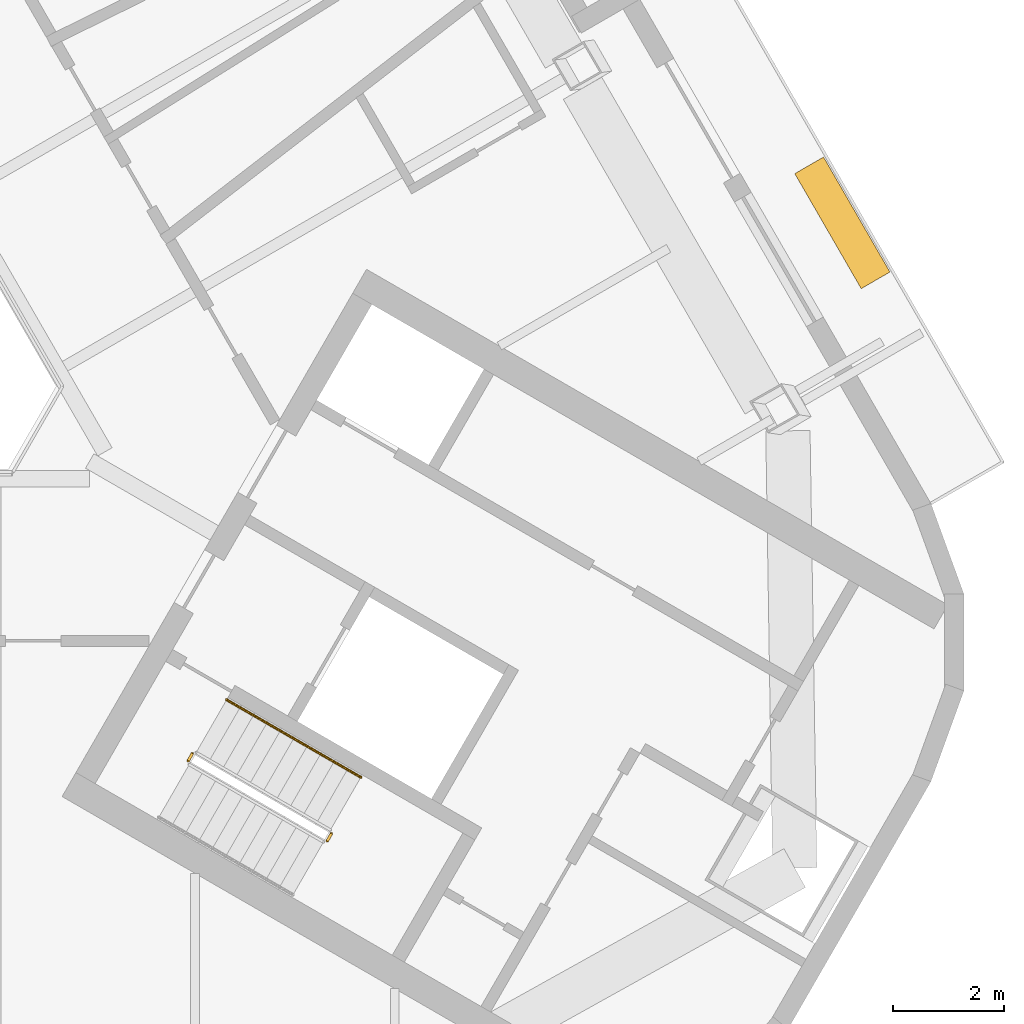
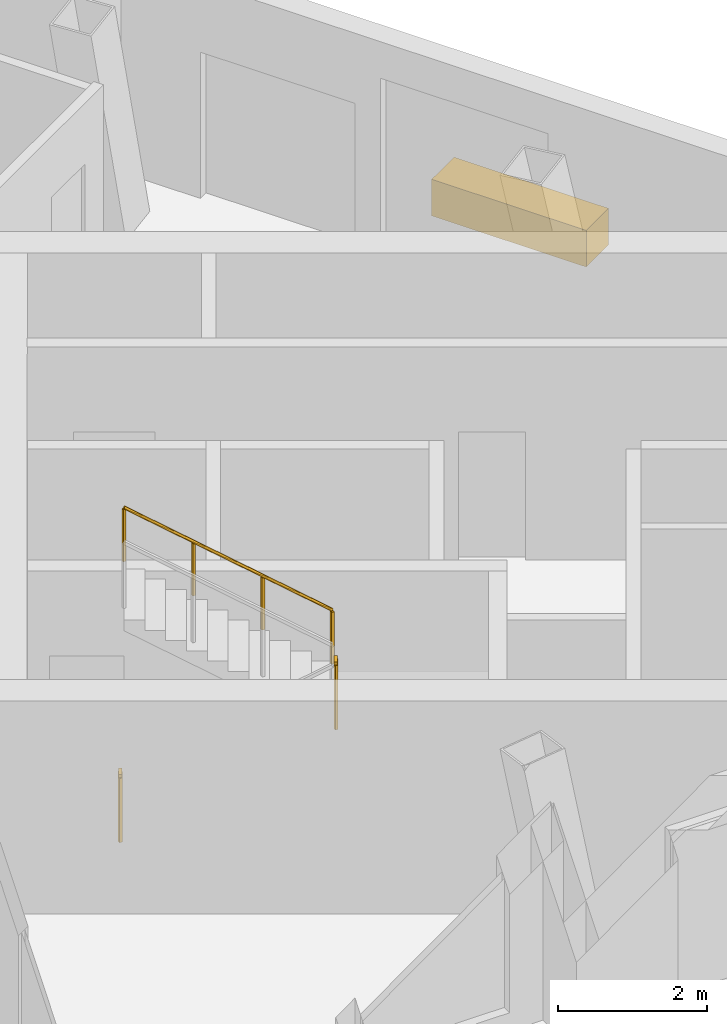
# One storey, part 11 of 13: 3 railings, 1 covering.
"""IFC4 building model written with IfcOpenShell, lengths in metres."""

from ifc_helpers import new_model, si_unit, direction, frame, origin, origin_2d, place, context, subcontext, project, spatial, rectangle, circle, extrude, material, type_object, element, save


model = new_model("IFC4")

# Units and contexts
model_context = context("Model", 3, precision=1e-05, world=origin(), true_north=direction((0.0, 1.0)))
body_context = subcontext(model_context, "Body", "Model", "MODEL_VIEW")
ifc_project = project(units=[si_unit("LENGTHUNIT", "METRE"), si_unit("AREAUNIT", "SQUARE_METRE"), si_unit("VOLUMEUNIT", "CUBIC_METRE"), si_unit("PLANEANGLEUNIT", "RADIAN"), si_unit("MASSUNIT", "GRAM", prefix="KILO")], contexts=[model_context])

# Site, building, storey
site_placement = place(None, origin())
site = spatial("IfcSite", under=ifc_project, at=site_placement, CompositionType="ELEMENT")
building_placement = place(site_placement, origin())
building = spatial("IfcBuilding", under=site, at=building_placement, Name="Apuvela Tower Hotel", CompositionType="ELEMENT")
storey_placement = place(building_placement, frame((0.0, 0.0, 287.39990234375)))
storey = spatial("IfcBuildingStorey", under=building, at=storey_placement, Name="L71", CompositionType="ELEMENT", Elevation=287.39990234375)

# Railings
ifc_material_1 = material(Name="Steel S275 balustrade", Category="steel")
railing_type_1 = type_object("IfcRailingType", Name="COR-GUARD-1100", PredefinedType="GUARDRAIL", material=ifc_material_1)
for number, where, name in (
    (1, (13.212158203125, -12.015869140625, 1.85009765625), "L71 ST3 stair guard 2"),
    (2, (10.70068359375, -10.56591796875, 0.0), "L71 ST3 stair guard 4"),
):
    element("IfcRailing", number, at=place(storey_placement, frame(where)), inside=storey, type_object=railing_type_1, Name=name, PredefinedType="GUARDRAIL", context=body_context, shape_type="SweptSolid", body=[
        extrude(rectangle(XDim=0.048095703125, YDim=0.048095703125, at=origin_2d()), frame((0.0, 0.0, 1.076171875), z_axis=(0.499816412211, 0.866131372301, 0.0), x_axis=(-0.866131372301, 0.499816412211, 0.0)), (0.0, 0.0, 1.0), 0.14990234375),
        extrude(rectangle(XDim=0.0419921875, YDim=0.0419921875, at=origin_2d()), origin(), (0.0, 0.0, 1.0), 1.052001953125),
        extrude(rectangle(XDim=0.0419921875, YDim=0.0419921875, at=origin_2d()), frame((0.074951171875, 0.1298828125, 0.0)), (0.0, 0.0, 1.0), 1.052001953125),
    ])
ifc_material_2 = material(Name="Stainless steel 316 handrail", Category="steel")
railing_type_2 = type_object("IfcRailingType", Name="COR-HANDRAIL-900", PredefinedType="HANDRAIL", material=ifc_material_2)
railing_placement = place(storey_placement, frame((13.81884765625, -10.864990234375, 2.018310546875)))
element("IfcRailing", 3, at=railing_placement, inside=storey, type_object=railing_type_2, Name="L71 ST3 stair handrail 2", PredefinedType="HANDRAIL", context=body_context, shape_type="SweptSolid", body=[
    extrude(circle(Radius=0.02392578125, at=origin_2d()), frame((0.0, 0.0, 0.8759765625), z_axis=(-0.742390482028, 0.42860119049, 0.514934356695), x_axis=(-0.49998411664, -0.866034573852, 0.0)), (0.0, 0.0, 1.0), 3.26611328125),
    extrude(rectangle(XDim=0.0419921875, YDim=0.0419921875, at=origin_2d()), origin(), (0.0, 0.0, 1.0), 0.851806640625),
    extrude(rectangle(XDim=0.0419921875, YDim=0.0419921875, at=origin_2d()), frame((-0.808349609375, 0.466552734375, 0.560546875)), (0.0, 0.0, 1.0), 0.851806640625),
    extrude(rectangle(XDim=0.0419921875, YDim=0.0419921875, at=origin_2d()), frame((-1.616455078125, 0.933349609375, 1.121337890625)), (0.0, 0.0, 1.0), 0.851806640625),
    extrude(rectangle(XDim=0.0419921875, YDim=0.0419921875, at=origin_2d()), frame((-2.4248046875, 1.39990234375, 1.681884765625)), (0.0, 0.0, 1.0), 0.851806640625),
])

# Covering
ifc_material_3 = material(Name="Planting substrate and soil, planted")
covering_type = type_object("IfcCoveringType", Name="ENV-PLANTER-2400x600", PredefinedType="USERDEFINED", material=ifc_material_3)
covering_placement = place(storey_placement, frame((22.519287109375, -0.84716796875, 0.0), z_axis=(0.0, 0.0, 1.0), x_axis=(-0.5, 0.866025403784, 0.0)))
element("IfcCovering", 4, at=covering_placement, inside=storey, type_object=covering_type, Name="Planter NE3", ObjectType="PLANTER", PredefinedType="USERDEFINED", context=body_context, shape_type="SweptSolid", body=[
    extrude(rectangle(XDim=2.39990234375, YDim=0.60009765625, at=origin_2d()), origin(), (0.0, 0.0, 1.0), 0.60009765625),
])

save(model, "model.ifc")
